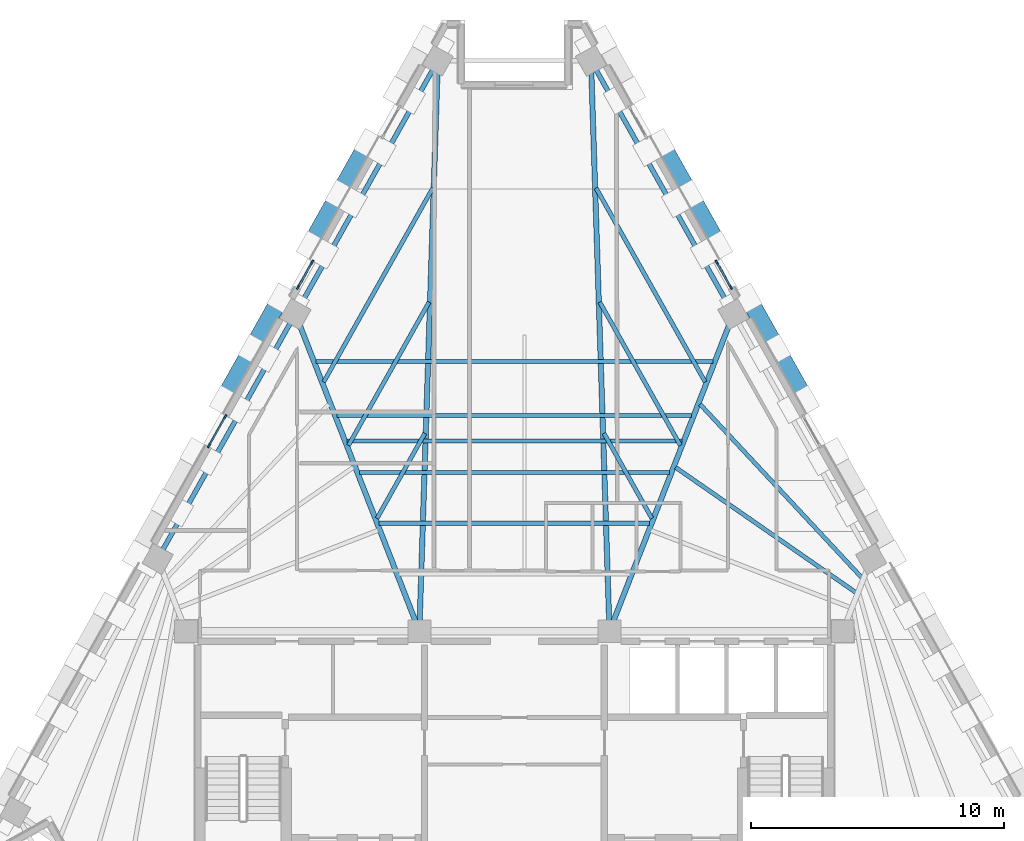
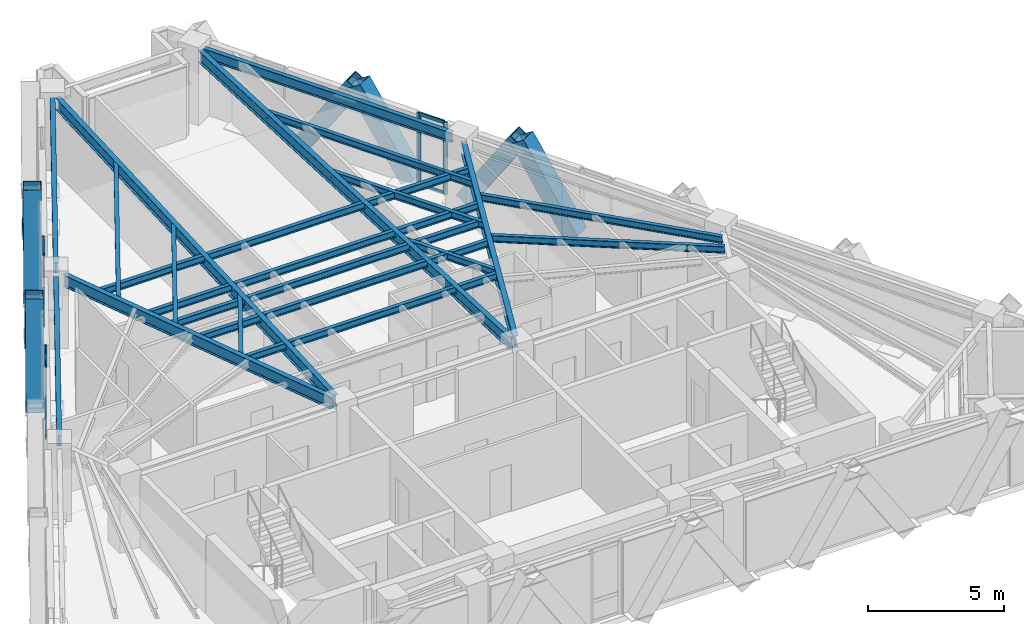
# One storey, part 3 of 12: 23 members, 20 beams, 3 elements without a shape of their own.
"""IFC4 building model written with IfcOpenShell, lengths in metres."""

from ifc_helpers import new_model, si_unit, direction, frame, origin, origin_2d, place, context, subcontext, project, spatial, rectangle, hollow_rectangle, i_section, extrude, material, material_profile, profile_set, type_object, element, aggregate, save


model = new_model("IFC4")

# Units and contexts
model_context = context("Model", 3, precision=1e-05, world=origin(), true_north=direction((0.0, 1.0)))
body_context = subcontext(model_context, "Body", "Model", "MODEL_VIEW")
ifc_project = project(units=[si_unit("LENGTHUNIT", "METRE"), si_unit("AREAUNIT", "SQUARE_METRE"), si_unit("VOLUMEUNIT", "CUBIC_METRE"), si_unit("PLANEANGLEUNIT", "RADIAN"), si_unit("MASSUNIT", "GRAM", prefix="KILO")], contexts=[model_context])

# Site, building, storey
site_placement = place(None, origin())
site = spatial("IfcSite", under=ifc_project, at=site_placement, CompositionType="ELEMENT")
building_placement = place(site_placement, origin())
building = spatial("IfcBuilding", under=site, at=building_placement, Name="Quenlor Broadcast Tower", CompositionType="ELEMENT")
storey_placement = place(building_placement, frame((0.0, 0.0, 218.39990234375)))
storey = spatial("IfcBuildingStorey", under=building, at=storey_placement, Name="L60", CompositionType="ELEMENT", Elevation=218.39990234375)

# Curtain wall, members
ifc_material_1 = material(Name="Architectural Terracotta and Low-E Glazing", Category="masonry")
curtain_wall_type = type_object("IfcCurtainWallType", Name="Unitised Terracotta Curtain Wall System Z4", PredefinedType="NOTDEFINED", material=ifc_material_1)
curtain_wall_1_placement = place(storey_placement, origin())
curtain_wall_1 = element("IfcCurtainWall", 1, at=curtain_wall_1_placement, inside=storey, type_object=curtain_wall_type, Name="L60 Curtain Wall CW4 (L60-NEA-G2)", PredefinedType="NOTDEFINED")
ifc_material_2 = material(Name="Aluminium 6063-T6", Category="aluminium")
ifc_material_profile_1 = material_profile(ifc_material_2, rectangle(XDim=0.068115234375, YDim=0.179931640625, at=origin_2d()))
ifc_profile_set_1 = profile_set([ifc_material_profile_1], Name="Aluminium 6063-T6 MULL68x180")
member_type_1 = type_object("IfcMemberType", Name="CW4 Aluminium Mullion MULL_CW4", PredefinedType="MULLION", material=ifc_profile_set_1)
member_1_placement = place(storey_placement, frame((7.979248046875, 9.755859375, 0.0), z_axis=(0.0, 0.0, 1.0), x_axis=(0.871557755022, 0.490292850918, 0.0)))
member_1 = element("IfcMember", 2, at=member_1_placement, type_object=member_type_1, Name="CW4 mullion 1", PredefinedType="MULLION", context=body_context, shape_type="SweptSolid", body=[
    extrude(rectangle(XDim=0.068115234375, YDim=0.179931640625, at=origin_2d()), origin(), (0.0, 0.0, 1.0), 3.25),
])
member_2_placement = place(storey_placement, frame((8.534912109375, 8.767822265625, 0.0), z_axis=(0.0, 0.0, 1.0), x_axis=(0.871557755022, 0.490292850918, 0.0)))
member_2 = element("IfcMember", 3, at=member_2_placement, type_object=member_type_1, Name="CW4 mullion 2", PredefinedType="MULLION", context=body_context, shape_type="SweptSolid", body=[
    extrude(rectangle(XDim=0.068115234375, YDim=0.179931640625, at=origin_2d()), origin(), (0.0, 0.0, 1.0), 3.25),
])

curtain_wall_2_placement = place(storey_placement, origin())
curtain_wall_2 = element("IfcCurtainWall", 4, at=curtain_wall_2_placement, inside=storey, type_object=curtain_wall_type, Name="L60 Curtain Wall CW4 (L60-NWC-G1)", PredefinedType="NOTDEFINED")
member_3_placement = place(storey_placement, frame((-8.534912109375, 8.767822265625, 0.0), z_axis=(0.0, 0.0, 1.0), x_axis=(-0.871557755022, 0.490292850918, 0.0)))
member_3 = element("IfcMember", 5, at=member_3_placement, type_object=member_type_1, Name="CW4 mullion 1", PredefinedType="MULLION", context=body_context, shape_type="SweptSolid", body=[
    extrude(rectangle(XDim=0.068115234375, YDim=0.179931640625, at=origin_2d()), origin(), (0.0, 0.0, 1.0), 3.25),
])
member_4_placement = place(storey_placement, frame((-7.979248046875, 9.755859375, 0.0), z_axis=(0.0, 0.0, 1.0), x_axis=(-0.871557755022, 0.490292850918, 0.0)))
member_4 = element("IfcMember", 6, at=member_4_placement, type_object=member_type_1, Name="CW4 mullion 2", PredefinedType="MULLION", context=body_context, shape_type="SweptSolid", body=[
    extrude(rectangle(XDim=0.068115234375, YDim=0.179931640625, at=origin_2d()), origin(), (0.0, 0.0, 1.0), 3.25),
])

curtain_wall_3_placement = place(storey_placement, origin())
curtain_wall_3 = element("IfcCurtainWall", 7, at=curtain_wall_3_placement, inside=storey, type_object=curtain_wall_type, Name="L60 Curtain Wall CW4 (L60-NW-G1)", PredefinedType="NOTDEFINED")
member_5_placement = place(storey_placement, frame((-12.049560546875, 2.519775390625, 0.0), z_axis=(0.0, 0.0, 1.0), x_axis=(-0.871560008943, 0.490288844266, 0.0)))
member_5 = element("IfcMember", 8, at=member_5_placement, type_object=member_type_1, Name="CW4 mullion 1", PredefinedType="MULLION", context=body_context, shape_type="SweptSolid", body=[
    extrude(rectangle(XDim=0.068115234375, YDim=0.179931640625, at=origin_2d()), origin(), (0.0, 0.0, 1.0), 3.25),
])
member_6_placement = place(storey_placement, frame((-11.408203125, 3.65966796875, 0.0), z_axis=(0.0, 0.0, 1.0), x_axis=(-0.871560008943, 0.490288844266, 0.0)))
member_6 = element("IfcMember", 9, at=member_6_placement, type_object=member_type_1, Name="CW4 mullion 2", PredefinedType="MULLION", context=body_context, shape_type="SweptSolid", body=[
    extrude(rectangle(XDim=0.068115234375, YDim=0.179931640625, at=origin_2d()), origin(), (0.0, 0.0, 1.0), 3.25),
])

# Member
ifc_material_3 = material(Name="Aluminium 6063-T6", Category="aluminium")
ifc_material_profile_2 = material_profile(ifc_material_3, rectangle(XDim=0.068115234375, YDim=0.14990234375, at=origin_2d()))
ifc_profile_set_2 = profile_set([ifc_material_profile_2], Name="Aluminium 6063-T6 TRAN68x150")
member_type_2 = type_object("IfcMemberType", Name="CW4 Aluminium Transom TRAN_CW4", PredefinedType="USERDEFINED", material=ifc_profile_set_2)
member_7_placement = place(storey_placement, frame((7.995849609375, 9.72607421875, 0.0341796875), z_axis=(0.490304750356, -0.871551060913, 0.0), x_axis=(0.871551060913, 0.490304750356, 0.0)))
member_7 = element("IfcMember", 10, at=member_7_placement, type_object=member_type_2, Name="CW4 transom 1.1", ObjectType="TRANSOM", PredefinedType="USERDEFINED", context=body_context, shape_type="SweptSolid", body=[
    extrude(rectangle(XDim=0.068115234375, YDim=0.14990234375, at=origin_2d()), origin(), (0.0, 0.0, 1.0), 1.065673828125),
])

member_8_placement = place(storey_placement, frame((7.995849609375, 9.72607421875, 0.9501953125), z_axis=(0.490304750356, -0.871551060913, 0.0), x_axis=(0.871551060913, 0.490304750356, 0.0)))
member_8 = element("IfcMember", 11, at=member_8_placement, type_object=member_type_2, Name="CW4 transom 1.2", ObjectType="TRANSOM", PredefinedType="USERDEFINED", context=body_context, shape_type="SweptSolid", body=[
    extrude(rectangle(XDim=0.068115234375, YDim=0.14990234375, at=origin_2d()), origin(), (0.0, 0.0, 1.0), 1.065673828125),
])

member_9_placement = place(storey_placement, frame((7.995849609375, 9.72607421875, 3.216064453125), z_axis=(0.490304750356, -0.871551060913, 0.0), x_axis=(0.871551060913, 0.490304750356, 0.0)))
member_9 = element("IfcMember", 12, at=member_9_placement, type_object=member_type_2, Name="CW4 transom 1.3", ObjectType="TRANSOM", PredefinedType="USERDEFINED", context=body_context, shape_type="SweptSolid", body=[
    extrude(rectangle(XDim=0.068115234375, YDim=0.14990234375, at=origin_2d()), origin(), (0.0, 0.0, 1.0), 1.065673828125),
])

aggregate(curtain_wall_1, [member_1, member_2, member_7, member_8, member_9])

member_10_placement = place(storey_placement, frame((-8.518310546875, 8.79736328125, 0.0341796875), z_axis=(0.490304750356, 0.871551060913, 0.0), x_axis=(-0.871551060913, 0.490304750356, 0.0)))
member_10 = element("IfcMember", 13, at=member_10_placement, type_object=member_type_2, Name="CW4 transom 1.1", ObjectType="TRANSOM", PredefinedType="USERDEFINED", context=body_context, shape_type="SweptSolid", body=[
    extrude(rectangle(XDim=0.068115234375, YDim=0.14990234375, at=origin_2d()), origin(), (0.0, 0.0, 1.0), 1.065673828125),
])

member_11_placement = place(storey_placement, frame((-8.518310546875, 8.79736328125, 0.9501953125), z_axis=(0.490304750356, 0.871551060913, 0.0), x_axis=(-0.871551060913, 0.490304750356, 0.0)))
member_11 = element("IfcMember", 14, at=member_11_placement, type_object=member_type_2, Name="CW4 transom 1.2", ObjectType="TRANSOM", PredefinedType="USERDEFINED", context=body_context, shape_type="SweptSolid", body=[
    extrude(rectangle(XDim=0.068115234375, YDim=0.14990234375, at=origin_2d()), origin(), (0.0, 0.0, 1.0), 1.065673828125),
])

member_12_placement = place(storey_placement, frame((-8.518310546875, 8.79736328125, 3.216064453125), z_axis=(0.490304750356, 0.871551060913, 0.0), x_axis=(-0.871551060913, 0.490304750356, 0.0)))
member_12 = element("IfcMember", 15, at=member_12_placement, type_object=member_type_2, Name="CW4 transom 1.3", ObjectType="TRANSOM", PredefinedType="USERDEFINED", context=body_context, shape_type="SweptSolid", body=[
    extrude(rectangle(XDim=0.068115234375, YDim=0.14990234375, at=origin_2d()), origin(), (0.0, 0.0, 1.0), 1.065673828125),
])

aggregate(curtain_wall_2, [member_3, member_4, member_10, member_11, member_12])

member_13_placement = place(storey_placement, frame((-12.032958984375, 2.54931640625, 0.0341796875), z_axis=(0.490233197009, 0.871591310506, 0.0), x_axis=(-0.871591310506, 0.490233197009, 0.0)))
member_13 = element("IfcMember", 16, at=member_13_placement, type_object=member_type_2, Name="CW4 transom 1.1", ObjectType="TRANSOM", PredefinedType="USERDEFINED", context=body_context, shape_type="SweptSolid", body=[
    extrude(rectangle(XDim=0.068115234375, YDim=0.14990234375, at=origin_2d()), origin(), (0.0, 0.0, 1.0), 1.239990234375),
])

member_14_placement = place(storey_placement, frame((-12.032958984375, 2.54931640625, 0.9501953125), z_axis=(0.490233197009, 0.871591310506, 0.0), x_axis=(-0.871591310506, 0.490233197009, 0.0)))
member_14 = element("IfcMember", 17, at=member_14_placement, type_object=member_type_2, Name="CW4 transom 1.2", ObjectType="TRANSOM", PredefinedType="USERDEFINED", context=body_context, shape_type="SweptSolid", body=[
    extrude(rectangle(XDim=0.068115234375, YDim=0.14990234375, at=origin_2d()), origin(), (0.0, 0.0, 1.0), 1.239990234375),
])

member_15_placement = place(storey_placement, frame((-12.032958984375, 2.54931640625, 3.216064453125), z_axis=(0.490233197009, 0.871591310506, 0.0), x_axis=(-0.871591310506, 0.490233197009, 0.0)))
member_15 = element("IfcMember", 18, at=member_15_placement, type_object=member_type_2, Name="CW4 transom 1.3", ObjectType="TRANSOM", PredefinedType="USERDEFINED", context=body_context, shape_type="SweptSolid", body=[
    extrude(rectangle(XDim=0.068115234375, YDim=0.14990234375, at=origin_2d()), origin(), (0.0, 0.0, 1.0), 1.239990234375),
])

aggregate(curtain_wall_3, [member_5, member_6, member_13, member_14, member_15])

# Members
ifc_material_4 = material(Name="Steel S355", Category="steel")
ifc_material_profile_3 = material_profile(ifc_material_4, hollow_rectangle(XDim=0.679931640625, YDim=0.679931640625, WallThickness=0.02490234375, at=origin_2d()))
ifc_profile_set_3 = profile_set([ifc_material_profile_3], Name="Steel S355 RHS680x680x25")
member_type_3 = type_object("IfcMemberType", Name="Perimeter Diagonal Lattice Brace Z3-Z4 Steel S355 RHS680x25", PredefinedType="BRACE", material=ifc_profile_set_3)
member_16_placement = place(storey_placement, frame((5.79345703125, 14.447509765625, -0.119873046875), z_axis=(0.269485495908, -0.479188912076, 0.835317636614), x_axis=(0.871620820774, 0.490180726664, 0.0)))
element("IfcMember", 19, at=member_16_placement, inside=storey, type_object=member_type_3, Name="L60 Perimeter Diamond Lattice NE-C1S", PredefinedType="BRACE", context=body_context, shape_type="SweptSolid", body=[
    extrude(hollow_rectangle(XDim=0.679931640625, YDim=0.679931640625, WallThickness=0.02490234375, at=origin_2d()), origin(), (0.0, 0.0, 1.0), 4.18994140625),
])
member_17_placement = place(storey_placement, frame((9.222412109375, 8.351318359375, -0.119873046875), z_axis=(0.269539530269, -0.479181387144, 0.835304519224), x_axis=(0.871575537125, 0.490261239633, 0.0)))
element("IfcMember", 20, at=member_17_placement, inside=storey, type_object=member_type_3, Name="L60 Perimeter Diamond Lattice NE-C2S", PredefinedType="BRACE", context=body_context, shape_type="SweptSolid", body=[
    extrude(hollow_rectangle(XDim=0.679931640625, YDim=0.679931640625, WallThickness=0.02490234375, at=origin_2d()), origin(), (0.0, 0.0, 1.0), 4.190185546875),
])
for number, where, z_axis, x_axis, name in (
    (21, (8.065673828125, 10.40771484375, -0.119873046875), (-0.269547055694, 0.479136497832, 0.835327840559), (-0.871550060774, -0.49030652817, 0.0), "L60 Perimeter Diamond Lattice NE-C2B"),
    (22, (11.494873046875, 4.3115234375, -0.119873046875), (-0.269547055694, 0.479136497832, 0.835327840559), (-0.871550060774, -0.49030652817, 0.0), "L60 Perimeter Diamond Lattice NE-C3B"),
    (23, (-11.494873046875, 4.3115234375, -0.119873046875), (0.269547055694, 0.479136497832, 0.835327840559), (-0.871550060774, 0.49030652817, 0.0), "L60 Perimeter Diamond Lattice NW-C3S"),
    (24, (-8.065673828125, 10.40771484375, -0.119873046875), (0.269547055694, 0.479136497832, 0.835327840559), (-0.871550060774, 0.49030652817, 0.0), "L60 Perimeter Diamond Lattice NW-C4S"),
):
    element("IfcMember", number, at=place(storey_placement, frame(where, z_axis=z_axis, x_axis=x_axis)), inside=storey, type_object=member_type_3, Name=name, PredefinedType="BRACE", context=body_context, shape_type="SweptSolid", body=[
        extrude(hollow_rectangle(XDim=0.679931640625, YDim=0.679931640625, WallThickness=0.02490234375, at=origin_2d()), origin(), (0.0, 0.0, 1.0), 4.18994140625),
    ])
member_18_placement = place(storey_placement, frame((-9.222412109375, 8.351318359375, -0.119873046875), z_axis=(-0.269539530269, -0.479181387144, 0.835304519224), x_axis=(0.871575537125, -0.490261239633, 0.0)))
element("IfcMember", 25, at=member_18_placement, inside=storey, type_object=member_type_3, Name="L60 Perimeter Diamond Lattice NW-C4B", PredefinedType="BRACE", context=body_context, shape_type="SweptSolid", body=[
    extrude(hollow_rectangle(XDim=0.679931640625, YDim=0.679931640625, WallThickness=0.02490234375, at=origin_2d()), origin(), (0.0, 0.0, 1.0), 4.190185546875),
])
member_19_placement = place(storey_placement, frame((-5.79345703125, 14.447509765625, -0.119873046875), z_axis=(-0.269485495908, -0.479188912076, 0.835317636614), x_axis=(0.871620820774, -0.490180726664, 0.0)))
element("IfcMember", 26, at=member_19_placement, inside=storey, type_object=member_type_3, Name="L60 Perimeter Diamond Lattice NW-C5B", PredefinedType="BRACE", context=body_context, shape_type="SweptSolid", body=[
    extrude(hollow_rectangle(XDim=0.679931640625, YDim=0.679931640625, WallThickness=0.02490234375, at=origin_2d()), origin(), (0.0, 0.0, 1.0), 4.18994140625),
])

# Beams
ifc_material_5 = material(Name="Steel S355", Category="steel")
ifc_material_profile_4 = material_profile(ifc_material_5, i_section(OverallWidth=0.18994140625, OverallDepth=0.453857421875, WebThickness=0.008544921875, FlangeThickness=0.0126953125, FilletRadius=0.011474609375, at=origin_2d()))
ifc_profile_set_4 = profile_set([ifc_material_profile_4], Name="Steel S355 460UB67.1")
beam_type_1 = type_object("IfcBeamType", Name="Perimeter Spandrel Beam Z4 Steel S355 460UB67.1", PredefinedType="SPANDREL", material=ifc_profile_set_4)
for number, where, z_axis, x_axis, name in (
    (27, (8.438720703125, 8.072265625, 3.023193359375), (-0.490281935429, 0.871563895415, 0.0), (-0.871563895415, -0.490281935429, 0.0), "L60 Spandrel Beam NE3-NE4"),
    (28, (-3.221435546875, 17.346923828125, 3.023193359375), (-0.490281935429, -0.871563895415, 0.0), (0.871563895415, -0.490281935429, 0.0), "L60 Spandrel Beam NW1-NW2"),
):
    element("IfcBeam", number, at=place(storey_placement, frame(where, z_axis=z_axis, x_axis=x_axis)), inside=storey, type_object=beam_type_1, Name=name, PredefinedType="SPANDREL", context=body_context, shape_type="SweptSolid", body=[
        extrude(i_section(OverallWidth=0.18994140625, OverallDepth=0.453857421875, WebThickness=0.008544921875, FlangeThickness=0.0126953125, FilletRadius=0.011474609375, at=origin_2d()), origin(), (0.0, 0.0, 1.0), 10.641357421875),
    ])
beam_1_placement = place(storey_placement, frame((-8.840576171875, 7.357666015625, 3.023193359375), z_axis=(-0.490263496537, -0.871574267612, 0.0), x_axis=(0.871574267612, -0.490263496537, 0.0)))
element("IfcBeam", 29, at=beam_1_placement, inside=storey, type_object=beam_type_1, Name="L60 Spandrel Beam NW2-NW3", PredefinedType="SPANDREL", context=body_context, shape_type="SweptSolid", body=[
    extrude(i_section(OverallWidth=0.18994140625, OverallDepth=0.453857421875, WebThickness=0.008544921875, FlangeThickness=0.0126953125, FilletRadius=0.011474609375, at=origin_2d()), origin(), (0.0, 0.0, 1.0), 10.271728515625),
])
ifc_material_6 = material(Name="Steel S355", Category="steel")
ifc_material_profile_5 = material_profile(ifc_material_6, i_section(OverallWidth=0.166015625, OverallDepth=0.30712890625, WebThickness=0.006591796875, FlangeThickness=0.01171875, FilletRadius=0.011474609375, at=origin_2d()))
ifc_profile_set_5 = profile_set([ifc_material_profile_5], Name="Steel S355 310UB46.2")
beam_type_2 = type_object("IfcBeamType", Name="Tower Composite Joist Z4-Z5 Steel S355 310UB46.2", PredefinedType="JOIST", material=ifc_profile_set_5)
beam_2_placement = place(storey_placement, frame((-6.603759765625, 2.708984375, 3.096435546875), z_axis=(1.0, 0.0, 0.0), x_axis=(0.0, 1.0, 0.0)))
element("IfcBeam", 30, at=beam_2_placement, inside=storey, type_object=beam_type_2, Name="L60 Secondary Composite Joist 2", PredefinedType="JOIST", context=body_context, shape_type="SweptSolid", body=[
    extrude(i_section(OverallWidth=0.166015625, OverallDepth=0.30712890625, WebThickness=0.006591796875, FlangeThickness=0.01171875, FilletRadius=0.011474609375, at=origin_2d()), origin(), (0.0, 0.0, 1.0), 13.20751953125),
])
beam_3_placement = place(storey_placement, frame((-5.33251953125, -0.544921875, 3.096435546875), z_axis=(1.0, 0.0, 0.0), x_axis=(0.0, 1.0, 0.0)))
element("IfcBeam", 31, at=beam_3_placement, inside=storey, type_object=beam_type_2, Name="L60 Secondary Composite Joist 3", PredefinedType="JOIST", context=body_context, shape_type="SweptSolid", body=[
    extrude(i_section(OverallWidth=0.166015625, OverallDepth=0.30712890625, WebThickness=0.006591796875, FlangeThickness=0.01171875, FilletRadius=0.011474609375, at=origin_2d()), origin(), (0.0, 0.0, 1.0), 10.6650390625),
])
beam_4_placement = place(storey_placement, frame((-6.11474609375, 1.45751953125, 3.096435546875), z_axis=(1.0, 0.0, 0.0), x_axis=(0.0, 1.0, 0.0)))
element("IfcBeam", 32, at=beam_4_placement, inside=storey, type_object=beam_type_2, Name="L60 Secondary Composite Joist 4", PredefinedType="JOIST", context=body_context, shape_type="SweptSolid", body=[
    extrude(i_section(OverallWidth=0.166015625, OverallDepth=0.30712890625, WebThickness=0.006591796875, FlangeThickness=0.01171875, FilletRadius=0.011474609375, at=origin_2d()), origin(), (0.0, 0.0, 1.0), 12.2294921875),
])
beam_5_placement = place(storey_placement, frame((-6.994873046875, 3.710205078125, 3.096435546875), z_axis=(1.0, 0.0, 0.0), x_axis=(0.0, 1.0, 0.0)))
element("IfcBeam", 33, at=beam_5_placement, inside=storey, type_object=beam_type_2, Name="L60 Secondary Composite Joist 5", PredefinedType="JOIST", context=body_context, shape_type="SweptSolid", body=[
    extrude(i_section(OverallWidth=0.166015625, OverallDepth=0.30712890625, WebThickness=0.006591796875, FlangeThickness=0.01171875, FilletRadius=0.011474609375, at=origin_2d()), origin(), (0.0, 0.0, 1.0), 13.98974609375),
])
beam_6_placement = place(storey_placement, frame((-7.826171875, 5.837646484375, 3.096435546875), z_axis=(1.0, 0.0, 0.0), x_axis=(0.0, 1.0, 0.0)))
element("IfcBeam", 34, at=beam_6_placement, inside=storey, type_object=beam_type_2, Name="L60 Secondary Composite Joist 6", PredefinedType="JOIST", context=body_context, shape_type="SweptSolid", body=[
    extrude(i_section(OverallWidth=0.166015625, OverallDepth=0.30712890625, WebThickness=0.006591796875, FlangeThickness=0.01171875, FilletRadius=0.011474609375, at=origin_2d()), origin(), (0.0, 0.0, 1.0), 15.65234375),
])
beam_7_placement = place(storey_placement, frame((13.470458984375, -3.273681640625, 3.096435546875), z_axis=(-0.821539857981, 0.570151086773, 0.0), x_axis=(-0.570151086773, -0.821539857981, 0.0)))
element("IfcBeam", 35, at=beam_7_placement, inside=storey, type_object=beam_type_2, Name="L60 Secondary Composite Joist 11", PredefinedType="JOIST", context=body_context, shape_type="SweptSolid", body=[
    extrude(i_section(OverallWidth=0.166015625, OverallDepth=0.30712890625, WebThickness=0.006591796875, FlangeThickness=0.01171875, FilletRadius=0.011474609375, at=origin_2d()), origin(), (0.0, 0.0, 1.0), 8.656982421875),
])
beam_8_placement = place(storey_placement, frame((13.707275390625, -2.691162109375, 3.096435546875), z_axis=(-0.682034672805, 0.731319837754, 0.0), x_axis=(-0.731319837754, -0.682034672805, 0.0)))
element("IfcBeam", 36, at=beam_8_placement, inside=storey, type_object=beam_type_2, Name="L60 Secondary Composite Joist 12", PredefinedType="JOIST", context=body_context, shape_type="SweptSolid", body=[
    extrude(i_section(OverallWidth=0.166015625, OverallDepth=0.30712890625, WebThickness=0.006591796875, FlangeThickness=0.01171875, FilletRadius=0.011474609375, at=origin_2d()), origin(), (0.0, 0.0, 1.0), 9.357421875),
])
beam_9_placement = place(storey_placement, frame((-3.533935546875, 3.0068359375, 3.096435546875), z_axis=(-0.490243182397, -0.871585694073, 0.0), x_axis=(0.871585694073, -0.490243182397, 0.0)))
element("IfcBeam", 37, at=beam_9_placement, inside=storey, type_object=beam_type_2, Name="L60 Secondary Composite Joist 25", PredefinedType="JOIST", context=body_context, shape_type="SweptSolid", body=[
    extrude(i_section(OverallWidth=0.166015625, OverallDepth=0.30712890625, WebThickness=0.006591796875, FlangeThickness=0.01171875, FilletRadius=0.011474609375, at=origin_2d()), origin(), (0.0, 0.0, 1.0), 3.8515625),
])
beam_10_placement = place(storey_placement, frame((-3.3662109375, 8.182861328125, 3.096435546875), z_axis=(-0.490230865807, -0.871592621705, 0.0), x_axis=(0.871592621705, -0.490230865807, 0.0)))
element("IfcBeam", 38, at=beam_10_placement, inside=storey, type_object=beam_type_2, Name="L60 Secondary Composite Joist 26", PredefinedType="JOIST", context=body_context, shape_type="SweptSolid", body=[
    extrude(i_section(OverallWidth=0.166015625, OverallDepth=0.30712890625, WebThickness=0.006591796875, FlangeThickness=0.01171875, FilletRadius=0.011474609375, at=origin_2d()), origin(), (0.0, 0.0, 1.0), 6.487548828125),
])
beam_11_placement = place(storey_placement, frame((-3.22021484375, 12.68359375, 3.096435546875), z_axis=(-0.490261239633, -0.871575537125, 0.0), x_axis=(0.871575537125, -0.490261239633, 0.0)))
element("IfcBeam", 39, at=beam_11_placement, inside=storey, type_object=beam_type_2, Name="L60 Secondary Composite Joist 27", PredefinedType="JOIST", context=body_context, shape_type="SweptSolid", body=[
    extrude(i_section(OverallWidth=0.166015625, OverallDepth=0.30712890625, WebThickness=0.006591796875, FlangeThickness=0.01171875, FilletRadius=0.011474609375, at=origin_2d()), origin(), (0.0, 0.0, 1.0), 8.77978515625),
])
beam_12_placement = place(storey_placement, frame((3.533935546875, 3.0068359375, 3.096435546875), z_axis=(0.490243182397, -0.871585694073, 0.0), x_axis=(0.871585694073, 0.490243182397, 0.0)))
element("IfcBeam", 40, at=beam_12_placement, inside=storey, type_object=beam_type_2, Name="L60 Secondary Composite Joist 28", PredefinedType="JOIST", context=body_context, shape_type="SweptSolid", body=[
    extrude(i_section(OverallWidth=0.166015625, OverallDepth=0.30712890625, WebThickness=0.006591796875, FlangeThickness=0.01171875, FilletRadius=0.011474609375, at=origin_2d()), origin(), (0.0, 0.0, 1.0), 3.8515625),
])
beam_13_placement = place(storey_placement, frame((3.3662109375, 8.182861328125, 3.096435546875), z_axis=(0.490230865807, -0.871592621705, 0.0), x_axis=(0.871592621705, 0.490230865807, 0.0)))
element("IfcBeam", 41, at=beam_13_placement, inside=storey, type_object=beam_type_2, Name="L60 Secondary Composite Joist 29", PredefinedType="JOIST", context=body_context, shape_type="SweptSolid", body=[
    extrude(i_section(OverallWidth=0.166015625, OverallDepth=0.30712890625, WebThickness=0.006591796875, FlangeThickness=0.01171875, FilletRadius=0.011474609375, at=origin_2d()), origin(), (0.0, 0.0, 1.0), 6.487548828125),
])
beam_14_placement = place(storey_placement, frame((3.22021484375, 12.68359375, 3.096435546875), z_axis=(0.490261239633, -0.871575537125, 0.0), x_axis=(0.871575537125, 0.490261239633, 0.0)))
element("IfcBeam", 42, at=beam_14_placement, inside=storey, type_object=beam_type_2, Name="L60 Secondary Composite Joist 30", PredefinedType="JOIST", context=body_context, shape_type="SweptSolid", body=[
    extrude(i_section(OverallWidth=0.166015625, OverallDepth=0.30712890625, WebThickness=0.006591796875, FlangeThickness=0.01171875, FilletRadius=0.011474609375, at=origin_2d()), origin(), (0.0, 0.0, 1.0), 8.77978515625),
])
ifc_material_7 = material(Name="Steel S355", Category="steel")
ifc_material_profile_6 = material_profile(ifc_material_7, i_section(OverallWidth=0.208984375, OverallDepth=0.5283203125, WebThickness=0.009521484375, FlangeThickness=0.01318359375, FilletRadius=0.013916015625, at=origin_2d()))
ifc_profile_set_6 = profile_set([ifc_material_profile_6], Name="Steel S355 530UB82.0")
beam_type_3 = type_object("IfcBeamType", Name="Tower Primary Floor Beam Z4 Steel S355 530UB82.0", PredefinedType="BEAM", material=ifc_profile_set_6)
beam_15_placement = place(storey_placement, frame((8.490478515625, 7.3330078125, 2.986083984375), z_axis=(-0.363926160921, -0.931427801495, 0.0), x_axis=(0.931427801495, -0.363926160921, 0.0)))
element("IfcBeam", 43, at=beam_15_placement, inside=storey, type_object=beam_type_3, Name="L60 Primary Radial Beam NE3", PredefinedType="BEAM", context=body_context, shape_type="SweptSolid", body=[
    extrude(i_section(OverallWidth=0.208984375, OverallDepth=0.5283203125, WebThickness=0.009521484375, FlangeThickness=0.01318359375, FilletRadius=0.013916015625, at=origin_2d()), origin(), (0.0, 0.0, 1.0), 12.646240234375),
])
for number, where, z_axis, x_axis, name in (
    (44, (3.03369140625, 17.29443359375, 2.986083984375), (0.032408228632, -0.999474715397, 0.0), (0.999474715397, 0.032408228632, 0.0), "L60 Primary Radial Beam NE4"),
    (45, (-3.03369140625, 17.29443359375, 2.986083984375), (-0.032408228632, -0.999474715397, 0.0), (0.999474715397, -0.032408228632, 0.0), "L60 Primary Radial Beam NW1"),
):
    element("IfcBeam", number, at=place(storey_placement, frame(where, z_axis=z_axis, x_axis=x_axis)), inside=storey, type_object=beam_type_3, Name=name, PredefinedType="BEAM", context=body_context, shape_type="SweptSolid", body=[
        extrude(i_section(OverallWidth=0.208984375, OverallDepth=0.5283203125, WebThickness=0.009521484375, FlangeThickness=0.01318359375, FilletRadius=0.013916015625, at=origin_2d()), origin(), (0.0, 0.0, 1.0), 21.72607421875),
    ])
beam_16_placement = place(storey_placement, frame((-8.490478515625, 7.3330078125, 2.986083984375), z_axis=(0.363926160921, -0.931427801495, 0.0), x_axis=(0.931427801495, 0.363926160921, 0.0)))
element("IfcBeam", 46, at=beam_16_placement, inside=storey, type_object=beam_type_3, Name="L60 Primary Radial Beam NW2", PredefinedType="BEAM", context=body_context, shape_type="SweptSolid", body=[
    extrude(i_section(OverallWidth=0.208984375, OverallDepth=0.5283203125, WebThickness=0.009521484375, FlangeThickness=0.01318359375, FilletRadius=0.013916015625, at=origin_2d()), origin(), (0.0, 0.0, 1.0), 12.646240234375),
])

save(model, "model.ifc")
